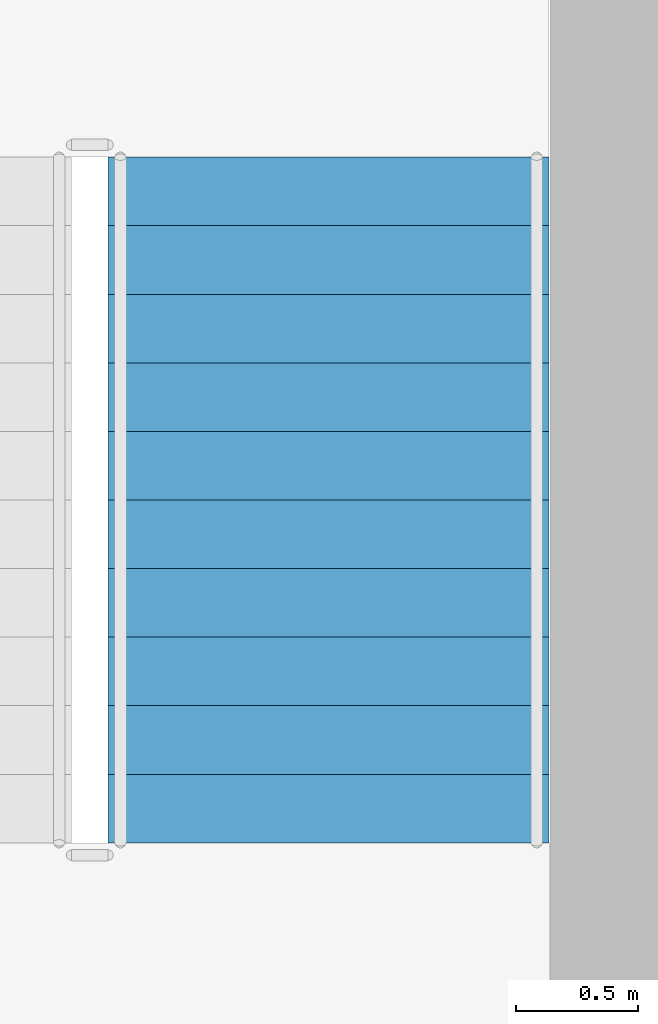
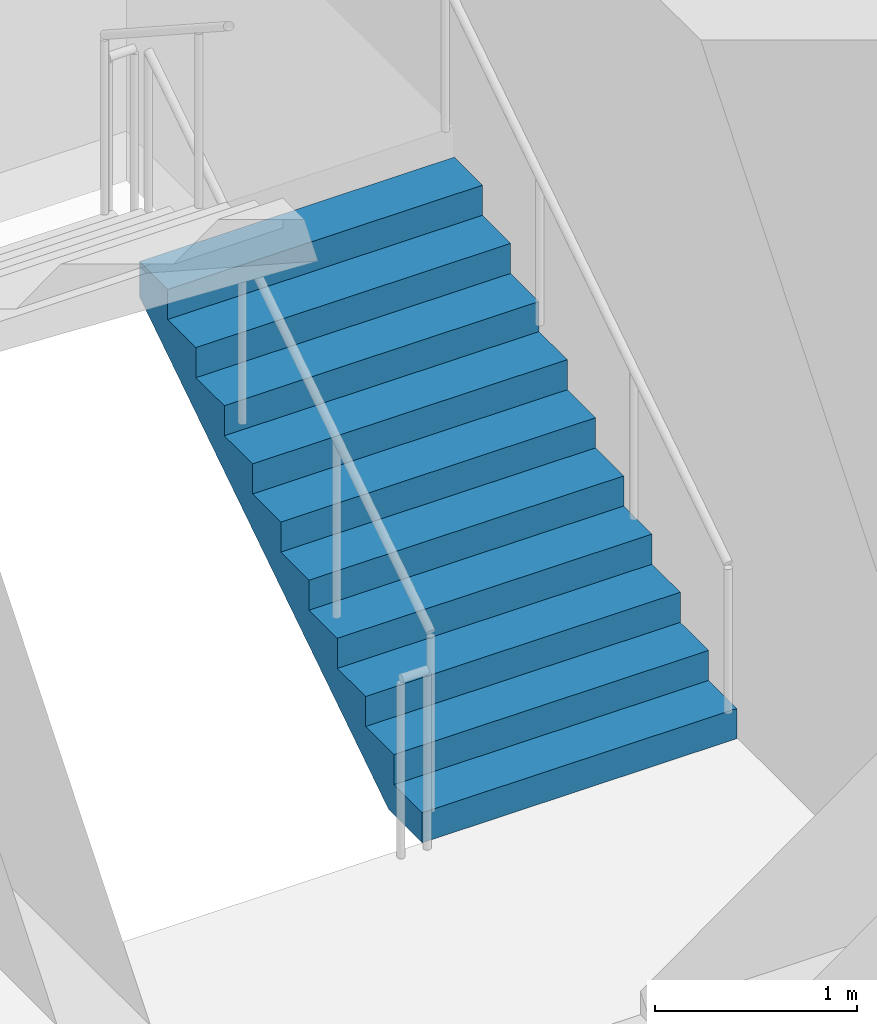
# One storey, part 6 of 9: 1 stair flight, 1 element without a shape of its own.
"""IFC4 building model written with IfcOpenShell, lengths in metres."""

from ifc_helpers import new_model, si_unit, direction, frame, origin, place, context, subcontext, project, spatial, polyline, outline, extrude, material, type_object, element, aggregate, save


model = new_model("IFC4")

# Units and contexts
model_context = context("Model", 3, precision=1e-05, world=origin(), true_north=direction((0.0, 1.0)))
body_context = subcontext(model_context, "Body", "Model", "MODEL_VIEW")
ifc_project = project(units=[si_unit("LENGTHUNIT", "METRE"), si_unit("AREAUNIT", "SQUARE_METRE"), si_unit("VOLUMEUNIT", "CUBIC_METRE"), si_unit("PLANEANGLEUNIT", "RADIAN"), si_unit("MASSUNIT", "GRAM", prefix="KILO")], contexts=[model_context])

# Site, building, storey
site_placement = place(None, origin())
site = spatial("IfcSite", under=ifc_project, at=site_placement, CompositionType="ELEMENT")
building_placement = place(site_placement, origin())
building = spatial("IfcBuilding", under=site, at=building_placement, Name="Sulina Concourse Tower", CompositionType="ELEMENT")
storey_placement = place(building_placement, frame((0.0, 0.0, 66.60009765625)))
storey = spatial("IfcBuildingStorey", under=building, at=storey_placement, Name="L16", CompositionType="ELEMENT", Elevation=66.60009765625)

# Stair, stair flight
ifc_material_1 = material(Name="Concrete C50/60", Category="concrete")
stair_type = type_object("IfcStairType", Name="Portal & Podium Core Exit Stair 1820mm", PredefinedType="HALF_TURN_STAIR", material=ifc_material_1)
stair_placement = place(storey_placement, origin())
stair = element("IfcStair", 1, at=stair_placement, inside=storey, type_object=stair_type, Name="L16 ST-4", PredefinedType="HALF_TURN_STAIR")
ifc_material_2 = material(Name="Concrete C50/60", Category="concrete")
stair_flight_type = type_object("IfcStairFlightType", Name="Portal & Podium Core Exit Stair 1820mm Flight", PredefinedType="STRAIGHT", material=ifc_material_2)
stair_flight_placement = place(storey_placement, frame((53.544921875, 36.375, 0.0), z_axis=(0.0, 0.0, 1.0), x_axis=(0.0, 1.0, 0.0)))
stair_flight = element("IfcStairFlight", 2, at=stair_flight_placement, type_object=stair_flight_type, Name="ST-4 flight 1", NumberOfRisers=11, NumberOfTreads=10, PredefinedType="STRAIGHT", RiserHeight=0.181818182, TreadLength=0.28, context=body_context, shape_type="SweptSolid", body=[
    extrude(outline(polyline([(0.0, 0.0), (0.0, 0.181884765625), (0.280029296875, 0.181884765625), (0.280029296875, 0.363525390625), (0.56005859375, 0.363525390625), (0.56005859375, 0.54541015625), (0.840087890625, 0.54541015625), (0.840087890625, 0.727294921875), (1.1201171875, 0.727294921875), (1.1201171875, 0.9091796875), (1.39990234375, 0.9091796875), (1.39990234375, 1.0908203125), (1.679931640625, 1.0908203125), (1.679931640625, 1.272705078125), (1.9599609375, 1.272705078125), (1.9599609375, 1.45458984375), (2.239990234375, 1.45458984375), (2.239990234375, 1.636474609375), (2.52001953125, 1.636474609375), (2.52001953125, 1.818115234375), (2.800048828125, 1.818115234375), (2.800048828125, 2.0), (2.800048828125, 1.603759765625), (0.330322265625, 0.0), (0.0, 0.0)])), frame((0.0, 0.89990234375, 0.0), z_axis=(0.0, -1.0, 0.0), x_axis=(1.0, 0.0, 0.0)), (0.0, 0.0, 1.0), 1.800048828125),
])
aggregate(stair, [stair_flight])

save(model, "model.ifc")
